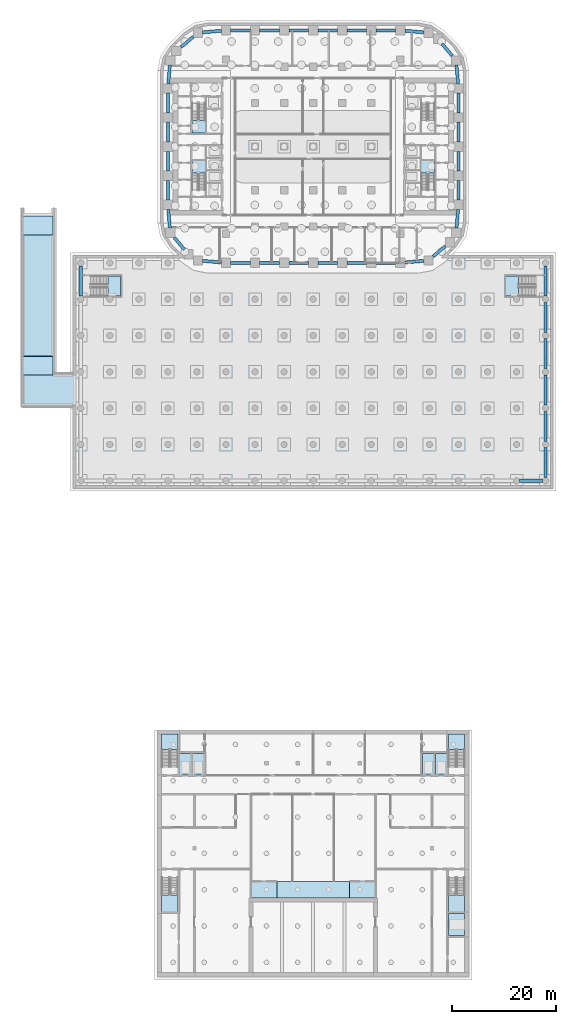
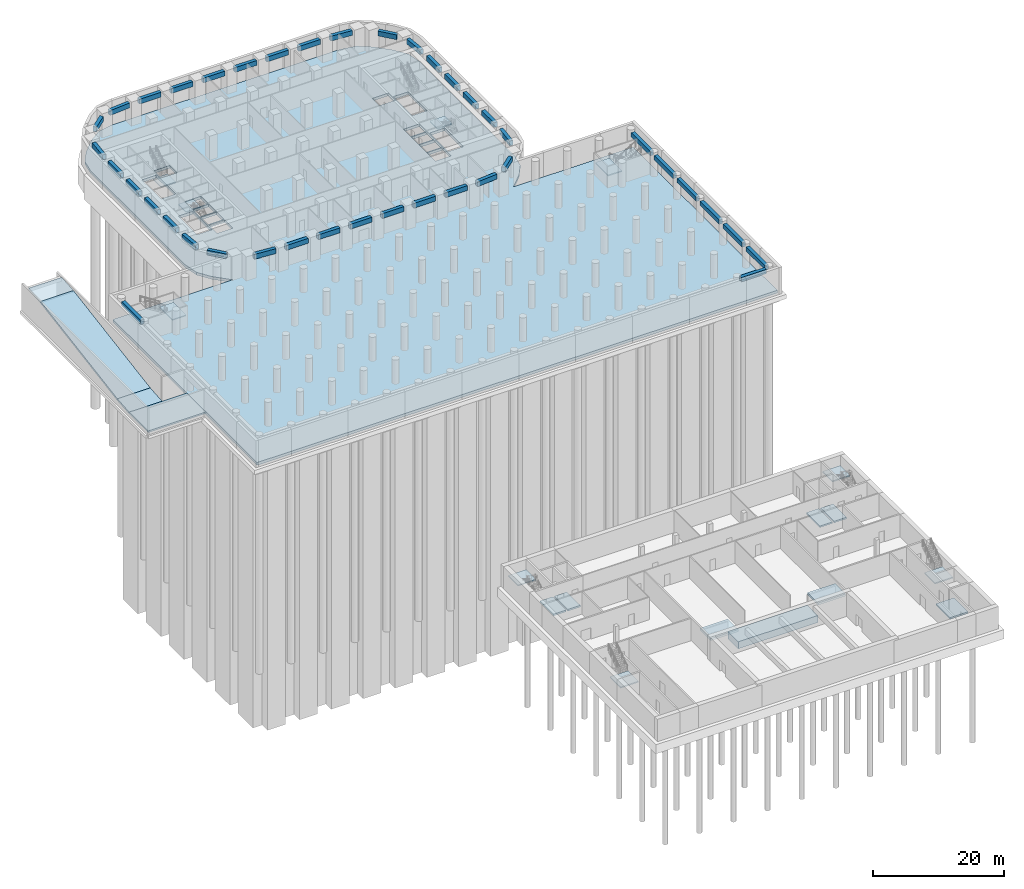
# One storey, part 4 of 23: 40 beams, 22 slabs, 10 elements without a shape of their own.
"""IFC4 building model written with IfcOpenShell, lengths in metres."""

from ifc_helpers import new_model, si_unit, direction, frame, origin, origin_2d, place, context, subcontext, project, spatial, polyline, rectangle, outline, extrude, material, layer, layer_set, material_profile, profile_set, type_object, element, aggregate, save


model = new_model("IFC4")

# Units and contexts
model_context = context("Model", 3, precision=1e-05, world=origin(), true_north=direction((0.0, 1.0)))
body_context = subcontext(model_context, "Body", "Model", "MODEL_VIEW")
ifc_project = project(units=[si_unit("LENGTHUNIT", "METRE"), si_unit("AREAUNIT", "SQUARE_METRE"), si_unit("VOLUMEUNIT", "CUBIC_METRE"), si_unit("PLANEANGLEUNIT", "RADIAN"), si_unit("MASSUNIT", "GRAM", prefix="KILO")], contexts=[model_context])

# Site, building, storey
site_placement = place(None, origin())
site = spatial("IfcSite", under=ifc_project, at=site_placement, CompositionType="ELEMENT")
building_placement = place(site_placement, origin())
building = spatial("IfcBuilding", under=site, at=building_placement, Name="Kiln Ring Residences", CompositionType="ELEMENT")
storey_placement = place(building_placement, frame((0.0, 0.0, -4.5)))
storey = spatial("IfcBuildingStorey", under=building, at=storey_placement, Name="B1", CompositionType="ELEMENT", Elevation=-4.5)

# Beams
ifc_material_1 = material(Name="Concrete C50/60", Category="concrete")
ifc_material_profile_1 = material_profile(ifc_material_1, rectangle(XDim=0.60009765625, YDim=0.800048828125, at=origin_2d()), Name="RC600x800")
ifc_profile_set_1 = profile_set([ifc_material_profile_1], Name="Concrete C50/60")
beam_type_1 = type_object("IfcBeamType", Name="Ring beam RC600x800 C50/60", PredefinedType="BEAM", material=ifc_profile_set_1)
beam_1_placement = place(storey_placement, frame((39.800048828125, -64.39990234375, 3.64990234375), z_axis=(1.0, 0.0, 0.0), x_axis=(0.0, 1.0, 0.0)))
element("IfcBeam", 1, at=beam_1_placement, inside=storey, type_object=beam_type_1, Name="Ring beam B1 16", PredefinedType="BEAM", context=body_context, shape_type="SweptSolid", body=[
    extrude(rectangle(XDim=0.60009765625, YDim=0.800048828125, at=origin_2d()), origin(), (0.0, 0.0, 1.0), 4.39990234375),
])
for number, where, z_axis, x_axis, name in (
    (2, (-44.800048828125, -23.0, 3.64990234375), (0.0, -1.0, 0.0), (1.0, 0.0, 0.0), "Ring beam B1 17"),
    (3, (44.800048828125, -23.0, 3.64990234375), (0.0, -1.0, 0.0), (1.0, 0.0, 0.0), "Ring beam B1 23"),
    (4, (44.800048828125, -30.0, 3.64990234375), (0.0, -1.0, 0.0), (1.0, 0.0, 0.0), "Ring beam B1 24"),
    (5, (44.800048828125, -37.0, 3.64990234375), (0.0, -1.0, 0.0), (1.0, 0.0, 0.0), "Ring beam B1 25"),
    (6, (44.800048828125, -44.0, 3.64990234375), (0.0, -1.0, 0.0), (1.0, 0.0, 0.0), "Ring beam B1 26"),
    (7, (44.800048828125, -51.0, 3.64990234375), (0.0, -1.0, 0.0), (1.0, 0.0, 0.0), "Ring beam B1 27"),
    (8, (44.800048828125, -58.0, 3.64990234375), (0.0, -1.0, 0.0), (1.0, 0.0, 0.0), "Ring beam B1 28"),
):
    element("IfcBeam", number, at=place(storey_placement, frame(where, z_axis=z_axis, x_axis=x_axis)), inside=storey, type_object=beam_type_1, Name=name, PredefinedType="BEAM", context=body_context, shape_type="SweptSolid", body=[
        extrude(rectangle(XDim=0.60009765625, YDim=0.800048828125, at=origin_2d()), origin(), (0.0, 0.0, 1.0), 5.800048828125),
    ])
ifc_material_2 = material(Name="Concrete C50/60", Category="concrete")
ifc_material_profile_2 = material_profile(ifc_material_2, rectangle(XDim=0.60009765625, YDim=0.89990234375, at=origin_2d()), Name="RC600x900")
ifc_profile_set_2 = profile_set([ifc_material_profile_2], Name="Concrete C50/60")
beam_type_2 = type_object("IfcBeamType", Name="Spandrel beam RC600x900 C50/60", PredefinedType="SPANDREL", material=ifc_profile_set_2)
beam_2_placement = place(storey_placement, frame((-21.30859375, -22.014892578125, 3.60009765625), z_axis=(0.996369229372, -0.0851372936, 0.0), x_axis=(0.0851372936, 0.996369229372, 0.0)))
element("IfcBeam", 9, at=beam_2_placement, inside=storey, type_object=beam_type_2, Name="Spandrel beam B1 1", PredefinedType="SPANDREL", context=body_context, shape_type="SweptSolid", body=[
    extrude(rectangle(XDim=0.60009765625, YDim=0.89990234375, at=origin_2d()), origin(), (0.0, 0.0, 1.0), 3.621826171875),
])
beam_3_placement = place(storey_placement, frame((-15.89990234375, -22.39990234375, 3.60009765625), z_axis=(1.0, 0.0, 0.0), x_axis=(0.0, 1.0, 0.0)))
element("IfcBeam", 10, at=beam_3_placement, inside=storey, type_object=beam_type_2, Name="Spandrel beam B1 2", PredefinedType="SPANDREL", context=body_context, shape_type="SweptSolid", body=[
    extrude(rectangle(XDim=0.60009765625, YDim=0.89990234375, at=origin_2d()), origin(), (0.0, 0.0, 1.0), 3.7998046875),
])
for number, where, z_axis, x_axis, name in (
    (11, (-10.300048828125, -22.39990234375, 3.60009765625), (1.0, 0.0, 0.0), (0.0, 1.0, 0.0), "Spandrel beam B1 3"),
    (12, (-4.699951171875, -22.39990234375, 3.60009765625), (1.0, 0.0, 0.0), (0.0, 1.0, 0.0), "Spandrel beam B1 4"),
    (13, (0.89990234375, -22.39990234375, 3.60009765625), (1.0, 0.0, 0.0), (0.0, 1.0, 0.0), "Spandrel beam B1 5"),
    (14, (6.5, -22.39990234375, 3.60009765625), (1.0, 0.0, 0.0), (0.0, 1.0, 0.0), "Spandrel beam B1 6"),
):
    element("IfcBeam", number, at=place(storey_placement, frame(where, z_axis=z_axis, x_axis=x_axis)), inside=storey, type_object=beam_type_2, Name=name, PredefinedType="SPANDREL", context=body_context, shape_type="SweptSolid", body=[
        extrude(rectangle(XDim=0.60009765625, YDim=0.89990234375, at=origin_2d()), origin(), (0.0, 0.0, 1.0), 3.800048828125),
    ])
beam_4_placement = place(storey_placement, frame((12.10009765625, -22.39990234375, 3.60009765625), z_axis=(1.0, 0.0, 0.0), x_axis=(0.0, 1.0, 0.0)))
element("IfcBeam", 15, at=beam_4_placement, inside=storey, type_object=beam_type_2, Name="Spandrel beam B1 7", PredefinedType="SPANDREL", context=body_context, shape_type="SweptSolid", body=[
    extrude(rectangle(XDim=0.60009765625, YDim=0.89990234375, at=origin_2d()), origin(), (0.0, 0.0, 1.0), 3.7998046875),
])
beam_5_placement = place(storey_placement, frame((17.699951171875, -22.3232421875, 3.60009765625), z_axis=(0.996369229372, 0.0851372936, 0.0), x_axis=(-0.0851372936, 0.996369229372, 0.0)))
element("IfcBeam", 16, at=beam_5_placement, inside=storey, type_object=beam_type_2, Name="Spandrel beam B1 8", PredefinedType="SPANDREL", context=body_context, shape_type="SweptSolid", body=[
    extrude(rectangle(XDim=0.60009765625, YDim=0.89990234375, at=origin_2d()), origin(), (0.0, 0.0, 1.0), 3.621826171875),
])
beam_6_placement = place(storey_placement, frame((23.108642578125, -21.1796875, 3.60009765625), z_axis=(0.764694939912, 0.644392464941, 0.0), x_axis=(-0.644392464941, 0.764694939912, 0.0)))
element("IfcBeam", 17, at=beam_6_placement, inside=storey, type_object=beam_type_2, Name="Spandrel beam B1 9", PredefinedType="SPANDREL", context=body_context, shape_type="SweptSolid", body=[
    extrude(rectangle(XDim=0.60009765625, YDim=0.89990234375, at=origin_2d()), origin(), (0.0, 0.0, 1.0), 3.074462890625),
])
beam_7_placement = place(storey_placement, frame((27.614990234375, -15.708740234375, 3.60009765625), z_axis=(0.085070372843, 0.996374945321, 0.0), x_axis=(-0.996374945321, 0.085070372843, 0.0)))
element("IfcBeam", 18, at=beam_7_placement, inside=storey, type_object=beam_type_2, Name="Spandrel beam B1 10", PredefinedType="SPANDREL", context=body_context, shape_type="SweptSolid", body=[
    extrude(rectangle(XDim=0.60009765625, YDim=0.89990234375, at=origin_2d()), origin(), (0.0, 0.0, 1.0), 3.621826171875),
])
for number, where, z_axis, x_axis, name in (
    (19, (28.0, -10.300048828125, 3.60009765625), (0.0, 1.0, 0.0), (-1.0, 0.0, 0.0), "Spandrel beam B1 11"),
    (20, (28.0, -4.699951171875, 3.60009765625), (0.0, 1.0, 0.0), (-1.0, 0.0, 0.0), "Spandrel beam B1 12"),
    (21, (28.0, 0.89990234375, 3.60009765625), (0.0, 1.0, 0.0), (-1.0, 0.0, 0.0), "Spandrel beam B1 13"),
    (22, (28.0, 6.5, 3.60009765625), (0.0, 1.0, 0.0), (-1.0, 0.0, 0.0), "Spandrel beam B1 14"),
):
    element("IfcBeam", number, at=place(storey_placement, frame(where, z_axis=z_axis, x_axis=x_axis)), inside=storey, type_object=beam_type_2, Name=name, PredefinedType="SPANDREL", context=body_context, shape_type="SweptSolid", body=[
        extrude(rectangle(XDim=0.60009765625, YDim=0.89990234375, at=origin_2d()), origin(), (0.0, 0.0, 1.0), 3.800048828125),
    ])
beam_8_placement = place(storey_placement, frame((27.923095703125, 12.10009765625, 3.60009765625), z_axis=(-0.085070372843, 0.996374945321, 0.0), x_axis=(-0.996374945321, -0.085070372843, 0.0)))
element("IfcBeam", 23, at=beam_8_placement, inside=storey, type_object=beam_type_2, Name="Spandrel beam B1 15", PredefinedType="SPANDREL", context=body_context, shape_type="SweptSolid", body=[
    extrude(rectangle(XDim=0.60009765625, YDim=0.89990234375, at=origin_2d()), origin(), (0.0, 0.0, 1.0), 3.621826171875),
])
beam_9_placement = place(storey_placement, frame((26.77978515625, 17.5087890625, 3.60009765625), z_axis=(-0.644392464941, 0.764694939912, 0.0), x_axis=(-0.764694939912, -0.644392464941, 0.0)))
element("IfcBeam", 24, at=beam_9_placement, inside=storey, type_object=beam_type_2, Name="Spandrel beam B1 16", PredefinedType="SPANDREL", context=body_context, shape_type="SweptSolid", body=[
    extrude(rectangle(XDim=0.60009765625, YDim=0.89990234375, at=origin_2d()), origin(), (0.0, 0.0, 1.0), 3.074462890625),
])
beam_10_placement = place(storey_placement, frame((21.30859375, 22.014892578125, 3.60009765625), z_axis=(-0.996369229372, 0.0851372936, 0.0), x_axis=(-0.0851372936, -0.996369229372, 0.0)))
element("IfcBeam", 25, at=beam_10_placement, inside=storey, type_object=beam_type_2, Name="Spandrel beam B1 17", PredefinedType="SPANDREL", context=body_context, shape_type="SweptSolid", body=[
    extrude(rectangle(XDim=0.60009765625, YDim=0.89990234375, at=origin_2d()), origin(), (0.0, 0.0, 1.0), 3.621826171875),
])
beam_11_placement = place(storey_placement, frame((15.89990234375, 22.39990234375, 3.60009765625), z_axis=(-1.0, 0.0, 0.0), x_axis=(0.0, -1.0, 0.0)))
element("IfcBeam", 26, at=beam_11_placement, inside=storey, type_object=beam_type_2, Name="Spandrel beam B1 18", PredefinedType="SPANDREL", context=body_context, shape_type="SweptSolid", body=[
    extrude(rectangle(XDim=0.60009765625, YDim=0.89990234375, at=origin_2d()), origin(), (0.0, 0.0, 1.0), 3.7998046875),
])
for number, where, z_axis, x_axis, name in (
    (27, (10.300048828125, 22.39990234375, 3.60009765625), (-1.0, 0.0, 0.0), (0.0, -1.0, 0.0), "Spandrel beam B1 19"),
    (28, (4.699951171875, 22.39990234375, 3.60009765625), (-1.0, 0.0, 0.0), (0.0, -1.0, 0.0), "Spandrel beam B1 20"),
    (29, (-0.89990234375, 22.39990234375, 3.60009765625), (-1.0, 0.0, 0.0), (0.0, -1.0, 0.0), "Spandrel beam B1 21"),
    (30, (-6.5, 22.39990234375, 3.60009765625), (-1.0, 0.0, 0.0), (0.0, -1.0, 0.0), "Spandrel beam B1 22"),
):
    element("IfcBeam", number, at=place(storey_placement, frame(where, z_axis=z_axis, x_axis=x_axis)), inside=storey, type_object=beam_type_2, Name=name, PredefinedType="SPANDREL", context=body_context, shape_type="SweptSolid", body=[
        extrude(rectangle(XDim=0.60009765625, YDim=0.89990234375, at=origin_2d()), origin(), (0.0, 0.0, 1.0), 3.800048828125),
    ])
beam_12_placement = place(storey_placement, frame((-12.10009765625, 22.39990234375, 3.60009765625), z_axis=(-1.0, 0.0, 0.0), x_axis=(0.0, -1.0, 0.0)))
element("IfcBeam", 31, at=beam_12_placement, inside=storey, type_object=beam_type_2, Name="Spandrel beam B1 23", PredefinedType="SPANDREL", context=body_context, shape_type="SweptSolid", body=[
    extrude(rectangle(XDim=0.60009765625, YDim=0.89990234375, at=origin_2d()), origin(), (0.0, 0.0, 1.0), 3.7998046875),
])
beam_13_placement = place(storey_placement, frame((-17.699951171875, 22.3232421875, 3.60009765625), z_axis=(-0.996369229372, -0.0851372936, 0.0), x_axis=(0.0851372936, -0.996369229372, 0.0)))
element("IfcBeam", 32, at=beam_13_placement, inside=storey, type_object=beam_type_2, Name="Spandrel beam B1 24", PredefinedType="SPANDREL", context=body_context, shape_type="SweptSolid", body=[
    extrude(rectangle(XDim=0.60009765625, YDim=0.89990234375, at=origin_2d()), origin(), (0.0, 0.0, 1.0), 3.621826171875),
])
beam_14_placement = place(storey_placement, frame((-23.108642578125, 21.1796875, 3.60009765625), z_axis=(-0.764694939912, -0.644392464941, 0.0), x_axis=(0.644392464941, -0.764694939912, 0.0)))
element("IfcBeam", 33, at=beam_14_placement, inside=storey, type_object=beam_type_2, Name="Spandrel beam B1 25", PredefinedType="SPANDREL", context=body_context, shape_type="SweptSolid", body=[
    extrude(rectangle(XDim=0.60009765625, YDim=0.89990234375, at=origin_2d()), origin(), (0.0, 0.0, 1.0), 3.074462890625),
])
beam_15_placement = place(storey_placement, frame((-27.614990234375, 15.708740234375, 3.60009765625), z_axis=(-0.085070372843, -0.996374945321, 0.0), x_axis=(0.996374945321, -0.085070372843, 0.0)))
element("IfcBeam", 34, at=beam_15_placement, inside=storey, type_object=beam_type_2, Name="Spandrel beam B1 26", PredefinedType="SPANDREL", context=body_context, shape_type="SweptSolid", body=[
    extrude(rectangle(XDim=0.60009765625, YDim=0.89990234375, at=origin_2d()), origin(), (0.0, 0.0, 1.0), 3.621826171875),
])
for number, where, z_axis, x_axis, name in (
    (35, (-28.0, 10.300048828125, 3.60009765625), (0.0, -1.0, 0.0), (1.0, 0.0, 0.0), "Spandrel beam B1 27"),
    (36, (-28.0, 4.699951171875, 3.60009765625), (0.0, -1.0, 0.0), (1.0, 0.0, 0.0), "Spandrel beam B1 28"),
    (37, (-28.0, -0.89990234375, 3.60009765625), (0.0, -1.0, 0.0), (1.0, 0.0, 0.0), "Spandrel beam B1 29"),
    (38, (-28.0, -6.5, 3.60009765625), (0.0, -1.0, 0.0), (1.0, 0.0, 0.0), "Spandrel beam B1 30"),
):
    element("IfcBeam", number, at=place(storey_placement, frame(where, z_axis=z_axis, x_axis=x_axis)), inside=storey, type_object=beam_type_2, Name=name, PredefinedType="SPANDREL", context=body_context, shape_type="SweptSolid", body=[
        extrude(rectangle(XDim=0.60009765625, YDim=0.89990234375, at=origin_2d()), origin(), (0.0, 0.0, 1.0), 3.800048828125),
    ])
beam_16_placement = place(storey_placement, frame((-27.923095703125, -12.10009765625, 3.60009765625), z_axis=(0.085070372843, -0.996374945321, 0.0), x_axis=(0.996374945321, 0.085070372843, 0.0)))
element("IfcBeam", 39, at=beam_16_placement, inside=storey, type_object=beam_type_2, Name="Spandrel beam B1 31", PredefinedType="SPANDREL", context=body_context, shape_type="SweptSolid", body=[
    extrude(rectangle(XDim=0.60009765625, YDim=0.89990234375, at=origin_2d()), origin(), (0.0, 0.0, 1.0), 3.621826171875),
])
beam_17_placement = place(storey_placement, frame((-26.77978515625, -17.5087890625, 3.60009765625), z_axis=(0.644392464941, -0.764694939912, 0.0), x_axis=(0.764694939912, 0.644392464941, 0.0)))
element("IfcBeam", 40, at=beam_17_placement, inside=storey, type_object=beam_type_2, Name="Spandrel beam B1 32", PredefinedType="SPANDREL", context=body_context, shape_type="SweptSolid", body=[
    extrude(rectangle(XDim=0.60009765625, YDim=0.89990234375, at=origin_2d()), origin(), (0.0, 0.0, 1.0), 3.074462890625),
])

# Slab
ifc_material_3 = material(Name="Concrete C40/50", Category="concrete")
ifc_layer_1 = layer(ifc_material_3, 0.5)
ifc_layer_set_1 = layer_set([ifc_layer_1], Name="Basement floor slab 500")
slab_type_1 = type_object("IfcSlabType", Name="Basement floor slab 500", PredefinedType="BASESLAB", material=ifc_layer_set_1)
slab_1_placement = place(storey_placement, frame((0.0, 0.0, -0.5)))
element("IfcSlab", 41, at=slab_1_placement, inside=storey, type_object=slab_type_1, Name="Basement floor slab B1 1", PredefinedType="BASESLAB", context=body_context, shape_type="SweptSolid", body=[
    extrude(outline(polyline([(-24.68798828125, -21.449951171875), (-45.75, -21.449951171875), (-45.75, -65.35009765625), (45.75, -65.35009765625), (45.75, -21.449951171875), (24.68798828125, -21.449951171875), (24.705322265625, -21.438232421875), (27.0380859375, -19.105224609375), (28.47216796875, -16.99560546875), (28.949951171875, -14.48974609375), (28.949951171875, 14.48974609375), (28.47216796875, 16.99560546875), (27.0380859375, 19.105224609375), (24.705322265625, 21.438232421875), (22.595458984375, 22.8720703125), (20.08984375, 23.35009765625), (-20.08984375, 23.35009765625), (-22.595458984375, 22.8720703125), (-24.705322265625, 21.438232421875), (-27.0380859375, 19.105224609375), (-28.47216796875, 16.99560546875), (-28.949951171875, 14.48974609375), (-28.949951171875, -14.48974609375), (-28.47216796875, -16.99560546875), (-27.0380859375, -19.105224609375), (-24.705322265625, -21.438232421875), (-24.68798828125, -21.449951171875)]), holes=[polyline([(20.800048828125, -8.39794921875), (20.800048828125, -2.699951171875), (23.39990234375, -2.699951171875), (23.39990234375, -8.39794921875), (20.800048828125, -8.39794921875)]), polyline([(20.800048828125, 2.60009765625), (20.800048828125, 8.39794921875), (23.39990234375, 8.39794921875), (23.39990234375, 2.60009765625), (20.800048828125, 2.60009765625)]), polyline([(17.800048828125, -6.85009765625), (17.800048828125, -4.64990234375), (20.60009765625, -4.64990234375), (20.60009765625, -6.85009765625), (17.800048828125, -6.85009765625)]), polyline([(17.800048828125, -4.449951171875), (17.800048828125, -2.25), (20.60009765625, -2.25), (20.60009765625, -4.449951171875), (17.800048828125, -4.449951171875)]), polyline([(17.800048828125, -2.050048828125), (17.800048828125, 0.14990234375), (20.60009765625, 0.14990234375), (20.60009765625, -2.050048828125), (17.800048828125, -2.050048828125)]), polyline([(17.800048828125, 7.39990234375), (17.800048828125, 9.60009765625), (20.60009765625, 9.60009765625), (20.60009765625, 7.39990234375), (17.800048828125, 7.39990234375)]), polyline([(20.60009765625, -9.60009765625), (17.800048828125, -9.60009765625), (17.800048828125, -7.050048828125), (20.60009765625, -7.050048828125), (20.60009765625, -9.60009765625)]), polyline([(-17.800048828125, -7.050048828125), (-17.800048828125, -9.60009765625), (-20.60009765625, -9.60009765625), (-20.60009765625, -7.050048828125), (-17.800048828125, -7.050048828125)]), polyline([(-17.800048828125, -6.85009765625), (-20.60009765625, -6.85009765625), (-20.60009765625, -4.64990234375), (-17.800048828125, -4.64990234375), (-17.800048828125, -6.85009765625)]), polyline([(-17.800048828125, -4.449951171875), (-20.60009765625, -4.449951171875), (-20.60009765625, -2.25), (-17.800048828125, -2.25), (-17.800048828125, -4.449951171875)]), polyline([(-17.800048828125, -2.050048828125), (-20.60009765625, -2.050048828125), (-20.60009765625, 0.14990234375), (-17.800048828125, 0.14990234375), (-17.800048828125, -2.050048828125)]), polyline([(-17.800048828125, 7.39990234375), (-20.60009765625, 7.39990234375), (-20.60009765625, 9.60009765625), (-17.800048828125, 9.60009765625), (-17.800048828125, 7.39990234375)]), polyline([(-20.800048828125, -8.39794921875), (-23.39990234375, -8.39794921875), (-23.39990234375, -2.699951171875), (-20.800048828125, -2.699951171875), (-20.800048828125, -8.39794921875)]), polyline([(-20.800048828125, 2.60009765625), (-23.39990234375, 2.60009765625), (-23.39990234375, 8.39794921875), (-20.800048828125, 8.39794921875), (-20.800048828125, 2.60009765625)])]), origin(), (0.0, 0.0, 1.0), 0.5),
])

# Stair, slab
ifc_material_4 = material(Name="Concrete C40/50", Category="concrete")
stair_type_1 = type_object("IfcStairType", Name="CORE-STAIR", PredefinedType="HALF_TURN_STAIR", material=ifc_material_4)
placement_1 = place(storey_placement, origin())
stair_1 = element("IfcStair", 42, at=placement_1, inside=storey, type_object=stair_type_1, Name="B1 stair W-STN", PredefinedType="HALF_TURN_STAIR")
ifc_material_5 = material(Name="Concrete C40/50", Category="concrete")
ifc_layer_2 = layer(ifc_material_5, 0.199951171875)
ifc_layer_set_2 = layer_set([ifc_layer_2], Name="CORE-STAIR-LANDING")
slab_type_2 = type_object("IfcSlabType", Name="CORE-STAIR-LANDING", PredefinedType="LANDING", material=ifc_layer_set_2)
placement_2 = place(storey_placement, frame((0.0, 0.0, 2.050048828125)))
slab_2 = element("IfcSlab", 43, at=placement_2, type_object=slab_type_2, Name="W-STN landing 1", PredefinedType="LANDING", context=body_context, shape_type="SweptSolid", body=[
    extrude(outline(polyline([(-23.39990234375, 5.0400390625), (-23.39990234375, 2.60009765625), (-20.800048828125, 2.60009765625), (-20.800048828125, 5.0400390625), (-23.39990234375, 5.0400390625)])), origin(), (0.0, 0.0, 1.0), 0.199951171875),
])
aggregate(stair_1, [slab_2])

stair_2 = element("IfcStair", 44, at=placement_1, inside=storey, type_object=stair_type_1, Name="B1 stair W-STS", PredefinedType="HALF_TURN_STAIR")
slab_3 = element("IfcSlab", 45, at=placement_2, type_object=slab_type_2, Name="W-STS landing 1", PredefinedType="LANDING", context=body_context, shape_type="SweptSolid", body=[
    extrude(outline(polyline([(-20.800048828125, -5.0400390625), (-20.800048828125, -2.699951171875), (-23.39990234375, -2.699951171875), (-23.39990234375, -5.0400390625), (-20.800048828125, -5.0400390625)])), origin(), (0.0, 0.0, 1.0), 0.199951171875),
])
aggregate(stair_2, [slab_3])

stair_3 = element("IfcStair", 46, at=placement_1, inside=storey, type_object=stair_type_1, Name="B1 stair E-STS", PredefinedType="HALF_TURN_STAIR")
slab_4 = element("IfcSlab", 47, at=placement_2, type_object=slab_type_2, Name="E-STS landing 1", PredefinedType="LANDING", context=body_context, shape_type="SweptSolid", body=[
    extrude(outline(polyline([(23.39990234375, -5.0400390625), (23.39990234375, -2.699951171875), (20.800048828125, -2.699951171875), (20.800048828125, -5.0400390625), (23.39990234375, -5.0400390625)])), origin(), (0.0, 0.0, 1.0), 0.199951171875),
])
aggregate(stair_3, [slab_4])

# Slabs
ifc_material_6 = material(Name="Concrete C35/45", Category="concrete")
ifc_layer_3 = layer(ifc_material_6, 0.300048828125)
ifc_layer_set_3 = layer_set([ifc_layer_3], Name="Hall lift pit slab 300")
slab_type_3 = type_object("IfcSlabType", Name="Hall lift pit slab 300", PredefinedType="BASESLAB", material=ifc_layer_set_3)
placement_3 = place(storey_placement, frame((0.0, 0.0, -1.699951171875)))
element("IfcSlab", 48, at=placement_3, inside=storey, type_object=slab_type_3, Name="Hall lift pit slab", PredefinedType="BASESLAB", context=body_context, shape_type="SweptSolid", body=[
    extrude(outline(polyline([(-23.550048828125, -121.050048828125), (-25.75, -121.050048828125), (-25.75, -116.949951171875), (-23.550048828125, -116.949951171875), (-23.550048828125, -121.050048828125)])), origin(), (0.0, 0.0, 1.0), 0.300048828125),
])
element("IfcSlab", 49, at=placement_3, inside=storey, type_object=slab_type_3, Name="Hall lift pit slab", PredefinedType="BASESLAB", context=body_context, shape_type="SweptSolid", body=[
    extrude(outline(polyline([(-21.050048828125, -121.050048828125), (-23.25, -121.050048828125), (-23.25, -116.949951171875), (-21.050048828125, -116.949951171875), (-21.050048828125, -121.050048828125)])), origin(), (0.0, 0.0, 1.0), 0.300048828125),
])
element("IfcSlab", 50, at=placement_3, inside=storey, type_object=slab_type_3, Name="Hall lift pit slab", PredefinedType="BASESLAB", context=body_context, shape_type="SweptSolid", body=[
    extrude(outline(polyline([(21.050048828125, -121.050048828125), (21.050048828125, -116.949951171875), (23.25, -116.949951171875), (23.25, -121.050048828125), (21.050048828125, -121.050048828125)])), origin(), (0.0, 0.0, 1.0), 0.300048828125),
])
element("IfcSlab", 51, at=placement_3, inside=storey, type_object=slab_type_3, Name="Hall lift pit slab", PredefinedType="BASESLAB", context=body_context, shape_type="SweptSolid", body=[
    extrude(outline(polyline([(25.75, -116.949951171875), (25.75, -121.050048828125), (23.550048828125, -121.050048828125), (23.550048828125, -116.949951171875), (25.75, -116.949951171875)])), origin(), (0.0, 0.0, 1.0), 0.300048828125),
])
element("IfcSlab", 52, at=placement_3, inside=storey, type_object=slab_type_3, Name="Hall lift pit slab", PredefinedType="BASESLAB", context=body_context, shape_type="SweptSolid", body=[
    extrude(outline(polyline([(26.050048828125, -147.75), (29.199951171875, -147.75), (29.199951171875, -152.050048828125), (26.050048828125, -152.050048828125), (26.050048828125, -147.75)])), origin(), (0.0, 0.0, 1.0), 0.300048828125),
])
ifc_material_7 = material(Name="Concrete C35/45", Category="concrete")
ifc_layer_4 = layer(ifc_material_7, 1.300048828125)
ifc_layer_set_4 = layer_set([ifc_layer_4], Name="Hall orchestra pit fill slab 1300")
slab_type_4 = type_object("IfcSlabType", Name="Hall orchestra pit fill slab 1300", PredefinedType="BASESLAB", material=ifc_layer_set_4)
element("IfcSlab", 53, at=placement_1, inside=storey, type_object=slab_type_4, Name="Hall orchestra pit fill", PredefinedType="BASESLAB", context=body_context, shape_type="SweptSolid", body=[
    extrude(outline(polyline([(-7.0, -144.800048828125), (7.0, -144.800048828125), (7.0, -141.60009765625), (-7.0, -141.60009765625), (-7.0, -144.800048828125)])), origin(), (0.0, 0.0, 1.0), 1.300048828125),
])

# Stair, slab
ifc_material_8 = material(Name="Concrete C40/50", Category="concrete")
stair_type_2 = type_object("IfcStairType", Name="Hall reinforced concrete stair", PredefinedType="HALF_TURN_STAIR", material=ifc_material_8)
stair_4 = element("IfcStair", 54, at=placement_1, inside=storey, type_object=stair_type_2, Name="B1 Hall stair ST1", PredefinedType="HALF_TURN_STAIR")
ifc_material_9 = material(Name="Concrete C40/50", Category="concrete")
ifc_layer_5 = layer(ifc_material_9, 0.199951171875)
ifc_layer_set_5 = layer_set([ifc_layer_5], Name="Hall reinforced concrete C40/50 stair landing 200")
slab_type_5 = type_object("IfcSlabType", Name="Hall reinforced concrete C40/50 stair landing 200", PredefinedType="LANDING", material=ifc_layer_set_5)
slab_11 = element("IfcSlab", 55, at=placement_2, type_object=slab_type_5, Name="HALL.ST1 landing 1", PredefinedType="LANDING", context=body_context, shape_type="SweptSolid", body=[
    extrude(outline(polyline([(-26.050048828125, -116.18994140625), (-26.050048828125, -113.199951171875), (-29.199951171875, -113.199951171875), (-29.199951171875, -116.18994140625), (-26.050048828125, -116.18994140625)])), origin(), (0.0, 0.0, 1.0), 0.199951171875),
])
aggregate(stair_4, [slab_11])

stair_5 = element("IfcStair", 56, at=placement_1, inside=storey, type_object=stair_type_2, Name="B1 Hall stair ST2", PredefinedType="HALF_TURN_STAIR")
slab_12 = element("IfcSlab", 57, at=placement_2, type_object=slab_type_5, Name="HALL.ST2 landing 1", PredefinedType="LANDING", context=body_context, shape_type="SweptSolid", body=[
    extrude(outline(polyline([(29.199951171875, -116.18994140625), (29.199951171875, -113.199951171875), (26.050048828125, -113.199951171875), (26.050048828125, -116.18994140625), (29.199951171875, -116.18994140625)])), origin(), (0.0, 0.0, 1.0), 0.199951171875),
])
aggregate(stair_5, [slab_12])

stair_6 = element("IfcStair", 58, at=placement_1, inside=storey, type_object=stair_type_2, Name="B1 Hall stair ST3", PredefinedType="HALF_TURN_STAIR")
slab_13 = element("IfcSlab", 59, at=placement_2, type_object=slab_type_5, Name="HALL.ST3 landing 1", PredefinedType="LANDING", context=body_context, shape_type="SweptSolid", body=[
    extrude(outline(polyline([(-29.199951171875, -144.2099609375), (-29.199951171875, -147.449951171875), (-26.050048828125, -147.449951171875), (-26.050048828125, -144.2099609375), (-29.199951171875, -144.2099609375)])), origin(), (0.0, 0.0, 1.0), 0.199951171875),
])
aggregate(stair_6, [slab_13])

stair_7 = element("IfcStair", 60, at=placement_1, inside=storey, type_object=stair_type_2, Name="B1 Hall stair ST4", PredefinedType="HALF_TURN_STAIR")
slab_14 = element("IfcSlab", 61, at=placement_2, type_object=slab_type_5, Name="HALL.ST4 landing 1", PredefinedType="LANDING", context=body_context, shape_type="SweptSolid", body=[
    extrude(outline(polyline([(26.050048828125, -144.2099609375), (26.050048828125, -147.449951171875), (29.199951171875, -147.449951171875), (29.199951171875, -144.2099609375), (26.050048828125, -144.2099609375)])), origin(), (0.0, 0.0, 1.0), 0.199951171875),
])
aggregate(stair_7, [slab_14])

# Slabs
ifc_material_10 = material(Name="Concrete C40/50", Category="concrete")
ifc_layer_6 = layer(ifc_material_10, 0.39990234375)
ifc_layer_set_6 = layer_set([ifc_layer_6], Name="Hall seating tier slab 400")
slab_type_6 = type_object("IfcSlabType", Name="Hall seating tier slab 400", PredefinedType="FLOOR", material=ifc_layer_set_6)
placement_4 = place(storey_placement, frame((0.0, 0.0, 3.199951171875)))
element("IfcSlab", 62, at=placement_4, inside=storey, type_object=slab_type_6, Name="Hall apron floor", PredefinedType="FLOOR", context=body_context, shape_type="SweptSolid", body=[
    extrude(outline(polyline([(-11.875, -144.800048828125), (-7.0, -144.800048828125), (-7.0, -141.60009765625), (-11.875, -141.60009765625), (-11.875, -144.800048828125)])), origin(), (0.0, 0.0, 1.0), 0.400146484375),
])
element("IfcSlab", 63, at=placement_4, inside=storey, type_object=slab_type_6, Name="Hall apron floor", PredefinedType="FLOOR", context=body_context, shape_type="SweptSolid", body=[
    extrude(outline(polyline([(7.0, -144.800048828125), (11.875, -144.800048828125), (11.875, -141.60009765625), (7.0, -141.60009765625), (7.0, -144.800048828125)])), origin(), (0.0, 0.0, 1.0), 0.400146484375),
])

# Stair, slab
ifc_material_11 = material(Name="Concrete C40/50", Category="concrete")
stair_type_3 = type_object("IfcStairType", Name="PODIUM-STAIR", PredefinedType="HALF_TURN_STAIR", material=ifc_material_11)
stair_8 = element("IfcStair", 64, at=placement_1, inside=storey, type_object=stair_type_3, Name="B1 exit stair PS-W", PredefinedType="HALF_TURN_STAIR")
ifc_material_12 = material(Name="Concrete C40/50", Category="concrete")
ifc_layer_7 = layer(ifc_material_12, 0.199951171875)
ifc_layer_set_7 = layer_set([ifc_layer_7], Name="PODIUM-STAIR-LANDING")
slab_type_7 = type_object("IfcSlabType", Name="PODIUM-STAIR-LANDING", PredefinedType="LANDING", material=ifc_layer_set_7)
slab_17 = element("IfcSlab", 65, at=placement_2, type_object=slab_type_7, Name="PS-W landing 1", PredefinedType="LANDING", context=body_context, shape_type="SweptSolid", body=[
    extrude(outline(polyline([(-39.5400390625, -28.800048828125), (-37.10009765625, -28.800048828125), (-37.10009765625, -24.89990234375), (-39.5400390625, -24.89990234375), (-39.5400390625, -28.800048828125)])), origin(), (0.0, 0.0, 1.0), 0.199951171875),
])
aggregate(stair_8, [slab_17])

stair_9 = element("IfcStair", 66, at=placement_1, inside=storey, type_object=stair_type_3, Name="B1 exit stair PS-E", PredefinedType="HALF_TURN_STAIR")
slab_18 = element("IfcSlab", 67, at=placement_2, type_object=slab_type_7, Name="PS-E landing 1", PredefinedType="LANDING", context=body_context, shape_type="SweptSolid", body=[
    extrude(outline(polyline([(39.5400390625, -24.89990234375), (37.10009765625, -24.89990234375), (37.10009765625, -28.800048828125), (39.5400390625, -28.800048828125), (39.5400390625, -24.89990234375)])), origin(), (0.0, 0.0, 1.0), 0.199951171875),
])
aggregate(stair_9, [slab_18])

# Slab
ifc_material_13 = material(Name="Concrete C35/45", Category="concrete")
ifc_layer_8 = layer(ifc_material_13, 0.300048828125)
ifc_layer_set_8 = layer_set([ifc_layer_8], Name="RAMP LANDING 300")
slab_type_8 = type_object("IfcSlabType", Name="RAMP LANDING 300", PredefinedType="BASESLAB", material=ifc_layer_set_8)
slab_19_placement = place(storey_placement, frame((0.0, 0.0, -0.300048828125)))
element("IfcSlab", 68, at=slab_19_placement, inside=storey, type_object=slab_type_8, Name="Ramp landing at basement level", PredefinedType="BASESLAB", context=body_context, shape_type="SweptSolid", body=[
    extrude(outline(polyline([(-55.89990234375, -49.800048828125), (-45.75, -49.800048828125), (-45.75, -44.0), (-55.89990234375, -44.0), (-55.89990234375, -49.800048828125)])), origin(), (0.0, 0.0, 1.0), 0.300048828125),
])

# Assembly, slabs
ifc_material_14 = material(Name="Concrete C35/45", Category="concrete")
element_assembly_type = type_object("IfcElementAssemblyType", Name="RAMP 5800 CONCRETE", PredefinedType="NOTDEFINED", material=ifc_material_14)
assembly = element("IfcElementAssembly", 69, at=placement_1, inside=storey, type_object=element_assembly_type, Name="Car ramp RP1", PredefinedType="NOTDEFINED")
ifc_material_15 = material(Name="Concrete C35/45", Category="concrete")
ifc_layer_9 = layer(ifc_material_15, 0.35009765625)
ifc_layer_set_9 = layer_set([ifc_layer_9], Name="Concrete C35/45")
slab_type_9 = type_object("IfcSlabType", Name="VEHICLE RAMP SLAB 350", PredefinedType="USERDEFINED", material=ifc_layer_set_9)
slab_20_placement = place(storey_placement, frame((-55.89990234375, -44.0, 0.0), z_axis=(0.0, -0.083056665618, 0.996544826035), x_axis=(1.0, 0.0, 0.0)))
slab_20 = element("IfcSlab", 70, at=slab_20_placement, type_object=slab_type_9, Name="Car ramp RP1 lower transition", ObjectType="VEHICLE RAMP SLAB", PredefinedType="USERDEFINED", context=body_context, shape_type="SweptSolid", body=[
    extrude(outline(polyline([(0.0, 0.0), (5.7998046875, 0.0), (5.7998046875, 3.6125797477420387), (0.0, 3.6125797477420387), (0.0, 0.0)])), origin(), (0.0, 0.0, -1.0), 0.35009765625),
])
slab_21_placement = place(storey_placement, frame((-55.89990234375, -40.39990234375, 0.300048828125), z_axis=(0.0, -0.164395649536, 0.986394480121), x_axis=(1.0, 0.0, 0.0)))
slab_21 = element("IfcSlab", 71, at=slab_21_placement, type_object=slab_type_9, Name="Car ramp RP1 main run", ObjectType="VEHICLE RAMP SLAB", PredefinedType="USERDEFINED", context=body_context, shape_type="SweptSolid", body=[
    extrude(outline(polyline([(0.0, 0.0), (5.7998046875, 0.0), (5.7998046875, 23.72266148617864), (0.0, 23.72266148617864), (0.0, 0.0)])), origin(), (0.0, 0.0, -1.0), 0.35009765625),
])
slab_22_placement = place(storey_placement, frame((-55.89990234375, -17.0, 4.199951171875), z_axis=(0.0, -0.083056665618, 0.996544826035), x_axis=(1.0, 0.0, 0.0)))
slab_22 = element("IfcSlab", 72, at=slab_22_placement, type_object=slab_type_9, Name="Car ramp RP1 upper transition", ObjectType="VEHICLE RAMP SLAB", PredefinedType="USERDEFINED", context=body_context, shape_type="SweptSolid", body=[
    extrude(outline(polyline([(0.0, 0.0), (5.7998046875, 0.0), (5.7998046875, 3.6125797477420387), (0.0, 3.6125797477420387), (0.0, 0.0)])), origin(), (0.0, 0.0, -1.0), 0.35009765625),
])
aggregate(assembly, [slab_20, slab_21, slab_22])

save(model, "model.ifc")
